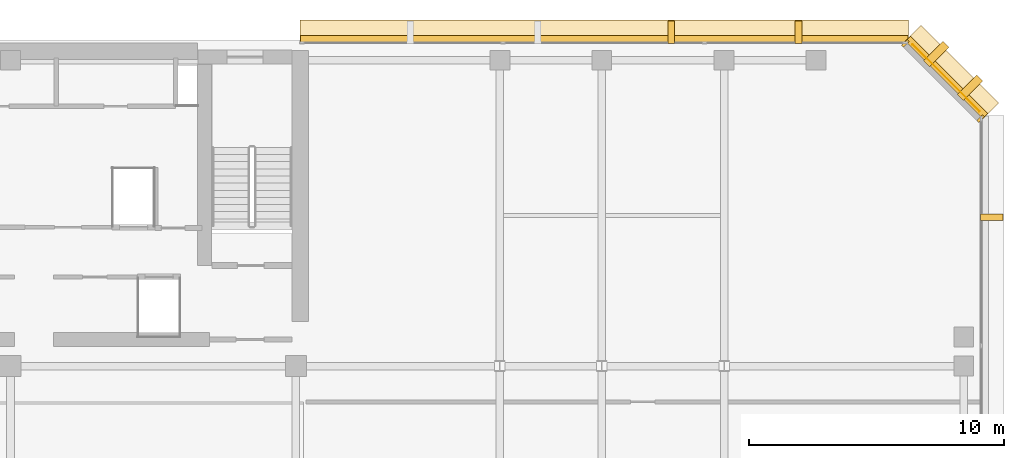
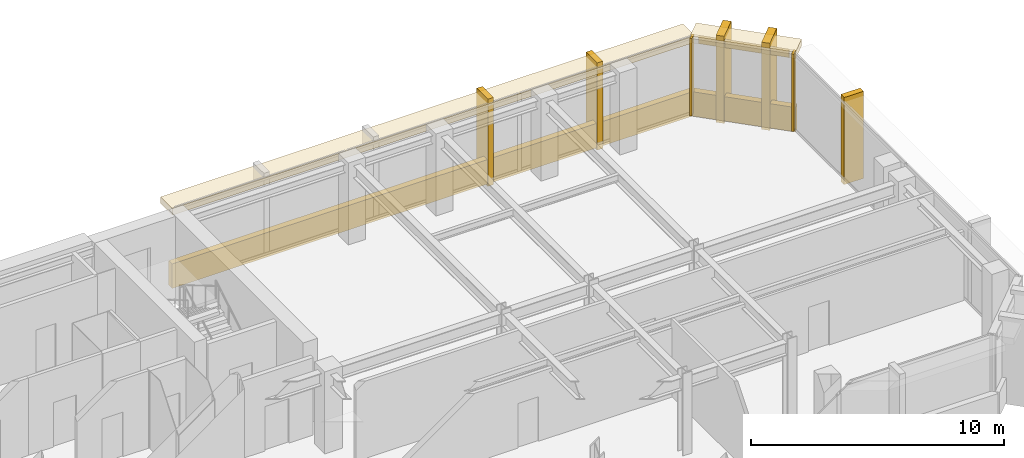
# One storey, part 12 of 12: 12 coverings.
"""IFC4 building model written with IfcOpenShell, lengths in metres."""

from ifc_helpers import new_model, si_unit, direction, frame, origin, origin_2d, place, context, subcontext, project, spatial, rectangle, extrude, material, layer, layer_set, type_object, element, save


model = new_model("IFC4")

# Units and contexts
model_context = context("Model", 3, precision=1e-05, world=origin(), true_north=direction((0.0, 1.0)))
body_context = subcontext(model_context, "Body", "Model", "MODEL_VIEW")
ifc_project = project(units=[si_unit("LENGTHUNIT", "METRE"), si_unit("AREAUNIT", "SQUARE_METRE"), si_unit("VOLUMEUNIT", "CUBIC_METRE"), si_unit("PLANEANGLEUNIT", "RADIAN"), si_unit("MASSUNIT", "GRAM", prefix="KILO")], contexts=[model_context])

# Site, building, storey
site_placement = place(None, origin())
site = spatial("IfcSite", under=ifc_project, at=site_placement, CompositionType="ELEMENT")
building_placement = place(site_placement, origin())
building = spatial("IfcBuilding", under=site, at=building_placement, Name="Kefirva Bronze Tower", CompositionType="ELEMENT")
storey_placement = place(building_placement, frame((0.0, 0.0, 268.2900390625)))
storey = spatial("IfcBuildingStorey", under=building, at=storey_placement, Name="L65", CompositionType="ELEMENT", Elevation=268.2900390625)

# Coverings
ifc_material = material(Name="Bronze anodised aluminium", Category="aluminium")
ifc_layer_1 = layer(ifc_material, 0.02001953125, Name="Bronze anodised aluminium")
ifc_layer_set_1 = layer_set([ifc_layer_1], Name="Bronze anodised aluminium")
covering_type_1 = type_object("IfcCoveringType", Name="Anodised Bronze Spandrel Cladding 20mm", PredefinedType="CLADDING", material=ifc_layer_set_1)
covering_1_placement = place(storey_placement, frame((48.70703125, 44.507080078125, 3.320068359375), z_axis=(0.0, 0.0, 1.0), x_axis=(-0.707106781187, 0.707106781187, 0.0)))
element("IfcCovering", 1, at=covering_1_placement, inside=storey, type_object=covering_type_1, Name="L65 Bronze Spandrel Cladding 5", PredefinedType="CLADDING", context=body_context, shape_type="SweptSolid", body=[
    extrude(rectangle(XDim=3.719482421875, YDim=0.02001953125, at=origin_2d()), origin(), (0.0, 0.0, 1.0), 0.39990234375),
])
for number, where, z_axis, x_axis, name in (
    (2, (50.06201171875, 42.91162109375, 0.0), (0.0, 0.0, 1.0), (-0.707106781187, 0.707106781187, 0.0), "L65 Facade Joint Closure Panel 5S"),
    (3, (47.11181640625, 45.862060546875, 0.0), (0.0, 0.0, 1.0), (-0.707106781187, 0.707106781187, 0.0), "L65 Facade Joint Closure Panel 5E"),
):
    element("IfcCovering", number, at=place(storey_placement, frame(where, z_axis=z_axis, x_axis=x_axis)), inside=storey, type_object=covering_type_1, Name=name, PredefinedType="CLADDING", context=body_context, shape_type="SweptSolid", body=[
        extrude(rectangle(XDim=0.10009765625, YDim=0.320068359375, at=origin_2d()), origin(), (0.0, 0.0, 1.0), 3.739990234375),
    ])
covering_2_placement = place(storey_placement, frame((48.728271484375, 44.5283203125, -0.16015625), z_axis=(0.0, 0.0, 1.0), x_axis=(-0.707106781187, 0.707106781187, 0.0)))
element("IfcCovering", 4, at=covering_2_placement, inside=storey, type_object=covering_type_1, Name="L65 Streamline Horizontal Spandrel Band 7", PredefinedType="CLADDING", context=body_context, shape_type="SweptSolid", body=[
    extrude(rectangle(XDim=4.28271484375, YDim=0.280029296875, at=origin_2d()), origin(), (0.0, 0.0, 1.0), 1.179931640625),
])
covering_3_placement = place(storey_placement, frame((35.302490234375, 46.0400390625, -0.16015625), z_axis=(0.0, 0.0, 1.0), x_axis=(-1.0, 0.0, 0.0)))
element("IfcCovering", 5, at=covering_3_placement, inside=storey, type_object=covering_type_1, Name="L65 Streamline Horizontal Spandrel Band 8", PredefinedType="CLADDING", context=body_context, shape_type="SweptSolid", body=[
    extrude(rectangle(XDim=23.8349609375, YDim=0.280029296875, at=origin_2d()), origin(), (0.0, 0.0, 1.0), 1.179931640625),
])
ifc_layer_2 = layer(ifc_material, 0.179931640625, Name="Bronze anodised aluminium")
ifc_layer_set_2 = layer_set([ifc_layer_2], Name="Bronze anodised aluminium")
covering_type_2 = type_object("IfcCoveringType", Name="Streamline Bronze Sunshade Eyebrow Cladding 180mm", PredefinedType="CLADDING", material=ifc_layer_set_2)
covering_4_placement = place(storey_placement, frame((48.919189453125, 44.71923828125, 3.419921875), z_axis=(0.0, 0.0, 1.0), x_axis=(-0.707106781187, 0.707106781187, 0.0)))
element("IfcCovering", 6, at=covering_4_placement, inside=storey, type_object=covering_type_2, Name="L65 Streamline Bronze Sunshade Eyebrow 7", PredefinedType="CLADDING", context=body_context, shape_type="SweptSolid", body=[
    extrude(rectangle(XDim=4.322509765625, YDim=0.93994140625, at=origin_2d()), origin(), (0.0, 0.0, 1.0), 0.320068359375),
])
covering_5_placement = place(storey_placement, frame((35.302490234375, 46.31005859375, 3.419921875), z_axis=(0.0, 0.0, 1.0), x_axis=(-1.0, 0.0, 0.0)))
element("IfcCovering", 7, at=covering_5_placement, inside=storey, type_object=covering_type_2, Name="L65 Streamline Bronze Sunshade Eyebrow 8", PredefinedType="CLADDING", context=body_context, shape_type="SweptSolid", body=[
    extrude(rectangle(XDim=23.875, YDim=0.93994140625, at=origin_2d()), origin(), (0.0, 0.0, 1.0), 0.320068359375),
])
ifc_layer_3 = layer(ifc_material, 0.260009765625, Name="Bronze anodised aluminium")
ifc_layer_set_3 = layer_set([ifc_layer_3], Name="Bronze anodised aluminium")
covering_type_3 = type_object("IfcCoveringType", Name="Unbroken Bronze Buttress Fin Cladding 260mm", PredefinedType="CLADDING", material=ifc_layer_set_3)
covering_6_placement = place(storey_placement, frame((50.5, 39.0400390625, -0.25), z_axis=(0.0, 0.0, 1.0), x_axis=(0.0, 1.0, 0.0)))
element("IfcCovering", 8, at=covering_6_placement, inside=storey, type_object=covering_type_3, Name="L65 Unbroken Vertical Bronze Rib Fin 14", PredefinedType="CLADDING", context=body_context, shape_type="SweptSolid", body=[
    extrude(rectangle(XDim=0.260009765625, YDim=0.8798828125, at=origin_2d()), origin(), (0.0, 0.0, 1.0), 4.2099609375),
])
for number, where, z_axis, x_axis, name in (
    (9, (49.642822265625, 44.122802734375, -0.25), (0.0, 0.0, 1.0), (-0.707106781187, 0.707106781187, 0.0), "L65 Chamfered Corner Buttress Fin Cladding 15"),
    (10, (48.32275390625, 45.44287109375, -0.25), (0.0, 0.0, 1.0), (-0.707106781187, 0.707106781187, 0.0), "L65 Chamfered Corner Buttress Fin Cladding 16"),
):
    element("IfcCovering", number, at=place(storey_placement, frame(where, z_axis=z_axis, x_axis=x_axis)), inside=storey, type_object=covering_type_3, Name=name, PredefinedType="CLADDING", context=body_context, shape_type="SweptSolid", body=[
        extrude(rectangle(XDim=0.340087890625, YDim=1.080078125, at=origin_2d()), origin(), (0.0, 0.0, 1.0), 4.2099609375),
    ])
for number, where, z_axis, x_axis, name in (
    (11, (42.9169921875, 46.300048828125, -0.25), (0.0, 0.0, 1.0), (-1.0, 0.0, 0.0), "L65 Unbroken Vertical Bronze Rib Fin 17"),
    (12, (37.919921875, 46.300048828125, -0.25), (0.0, 0.0, 1.0), (-1.0, 0.0, 0.0), "L65 Unbroken Vertical Bronze Rib Fin 18"),
):
    element("IfcCovering", number, at=place(storey_placement, frame(where, z_axis=z_axis, x_axis=x_axis)), inside=storey, type_object=covering_type_3, Name=name, PredefinedType="CLADDING", context=body_context, shape_type="SweptSolid", body=[
        extrude(rectangle(XDim=0.260009765625, YDim=0.8798828125, at=origin_2d()), origin(), (0.0, 0.0, 1.0), 4.2099609375),
    ])

save(model, "model.ifc")
